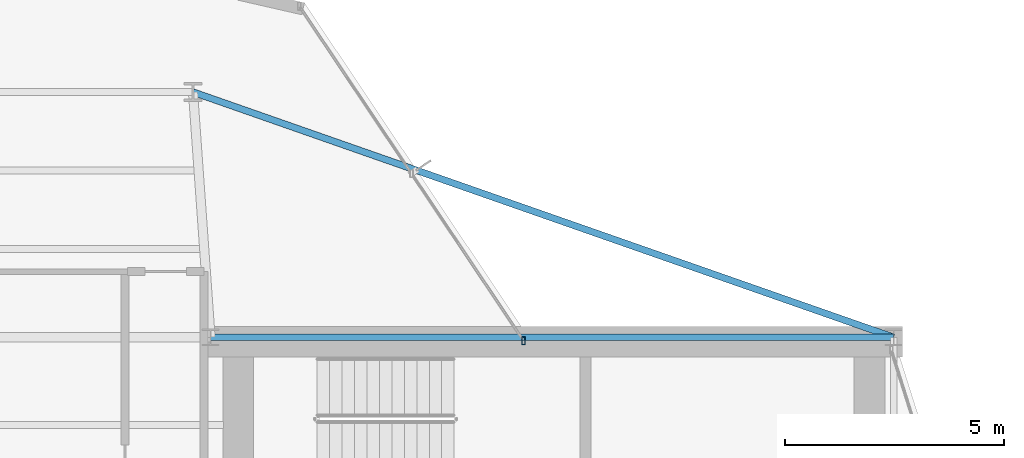
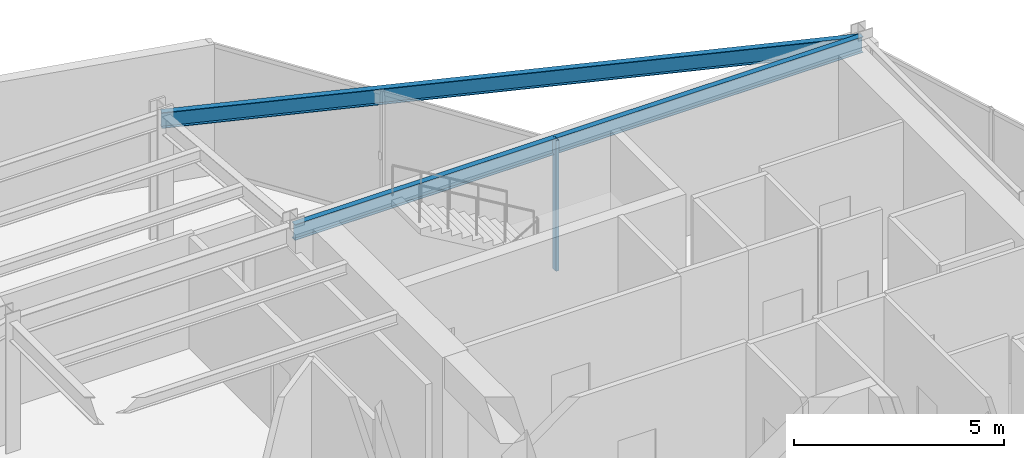
# One storey, part 16 of 22: 2 beams, 1 member, 1 element without a shape of its own.
"""IFC4 building model written with IfcOpenShell, lengths in metres."""

from ifc_helpers import new_model, si_unit, direction, frame, origin, origin_2d, place, context, subcontext, project, spatial, hollow_rectangle, i_section, extrude, material, layer, layer_set, material_profile, profile_set, type_object, element, aggregate, save


model = new_model("IFC4")

# Units and contexts
model_context = context("Model", 3, precision=1e-05, world=origin(), true_north=direction((0.0, 1.0)))
body_context = subcontext(model_context, "Body", "Model", "MODEL_VIEW")
ifc_project = project(units=[si_unit("LENGTHUNIT", "METRE"), si_unit("AREAUNIT", "SQUARE_METRE"), si_unit("VOLUMEUNIT", "CUBIC_METRE"), si_unit("PLANEANGLEUNIT", "RADIAN"), si_unit("MASSUNIT", "GRAM", prefix="KILO")], contexts=[model_context])

# Site, building, storey
site_placement = place(None, origin())
site = spatial("IfcSite", under=ifc_project, at=site_placement, CompositionType="ELEMENT")
building_placement = place(site_placement, origin())
building = spatial("IfcBuilding", under=site, at=building_placement, Name="Veymaron Broadcast Tower", CompositionType="ELEMENT")
storey_placement = place(building_placement, frame((0.0, 0.0, 208.050048828125)))
storey = spatial("IfcBuildingStorey", under=building, at=storey_placement, Name="L48", CompositionType="ELEMENT", Elevation=208.050048828125)

# Beams
ifc_material_1 = material(Name="Structural steel ASTM A992 Gr 50", Category="steel")
ifc_material_profile_1 = material_profile(ifc_material_1, i_section(OverallWidth=0.154052734375, OverallDepth=0.458984375, WebThickness=0.009033203125, FlangeThickness=0.015380859375, at=origin_2d()), Name="W460X68")
ifc_profile_set_1 = profile_set([ifc_material_profile_1], Name="Structural steel ASTM A992 Gr 50")
beam_type = type_object("IfcBeamType", Name="BM-SP2", PredefinedType="SPANDREL", material=ifc_profile_set_1)
beam_1_placement = place(storey_placement, frame((39.0, 32.0, 3.560546875), z_axis=(1.0, 0.0, 0.0), x_axis=(0.0, 1.0, 0.0)))
element("IfcBeam", 1, at=beam_1_placement, inside=storey, type_object=beam_type, Name="L48 primary structural floor girder", PredefinedType="SPANDREL", context=body_context, shape_type="SweptSolid", body=[
    extrude(i_section(OverallWidth=0.154052734375, OverallDepth=0.458984375, WebThickness=0.009033203125, FlangeThickness=0.015380859375, at=origin_2d()), origin(), (0.0, 0.0, 1.0), 15.60009765625),
])
beam_2_placement = place(storey_placement, frame((54.60009765625, 32.0, 3.560546875), z_axis=(-0.943856560098, 0.330355556878, 0.0), x_axis=(-0.330355556878, -0.943856560098, 0.0)))
element("IfcBeam", 2, at=beam_2_placement, inside=storey, type_object=beam_type, Name="L48 primary structural floor girder", PredefinedType="SPANDREL", context=body_context, shape_type="SweptSolid", body=[
    extrude(i_section(OverallWidth=0.154052734375, OverallDepth=0.458984375, WebThickness=0.009033203125, FlangeThickness=0.015380859375, at=origin_2d()), origin(), (0.0, 0.0, 1.0), 16.95166015625),
])

# Curtain wall, member
ifc_material_2 = material(Name="Anodised aluminium AA 6063-T6 and laminated low-E dark glass", Category="aluminium")
ifc_layer = layer(ifc_material_2, 0.179931640625)
ifc_layer_set = layer_set([ifc_layer], Name="Anodised aluminium AA 6063-T6 and laminated low-E dark glass")
curtain_wall_type = type_object("IfcCurtainWallType", Name="CW-SYS-05", PredefinedType="NOTDEFINED", material=ifc_layer_set)
curtain_wall_placement = place(storey_placement, origin())
curtain_wall = element("IfcCurtainWall", 3, at=curtain_wall_placement, inside=storey, type_object=curtain_wall_type, Name="L48 dark-glass curtain wall CW-L48-E5-1", PredefinedType="NOTDEFINED")
ifc_material_3 = material(Name="Anodised aluminium AA 6063-T6", Category="aluminium")
ifc_material_profile_2 = material_profile(ifc_material_3, hollow_rectangle(XDim=0.074951171875, YDim=0.179931640625, WallThickness=0.0048828125, at=origin_2d()), Name="AL180X75X5")
ifc_profile_set_2 = profile_set([ifc_material_profile_2], Name="Anodised aluminium AA 6063-T6")
member_type = type_object("IfcMemberType", Name="CW-MUL-02", PredefinedType="MULLION", material=ifc_profile_set_2)
member_placement = place(storey_placement, frame((46.147705078125, 31.922119140625, 0.0), z_axis=(0.0, 0.0, 1.0), x_axis=(1.0, 0.0, 0.0)))
member = element("IfcMember", 4, at=member_placement, type_object=member_type, Name="CW-L48-E5-1 mullion 0", PredefinedType="MULLION", context=body_context, shape_type="SweptSolid", body=[
    extrude(hollow_rectangle(XDim=0.074951171875, YDim=0.179931640625, WallThickness=0.0048828125, at=origin_2d()), origin(), (0.0, 0.0, 1.0), 3.7900390625),
])
aggregate(curtain_wall, [member])

save(model, "model.ifc")
